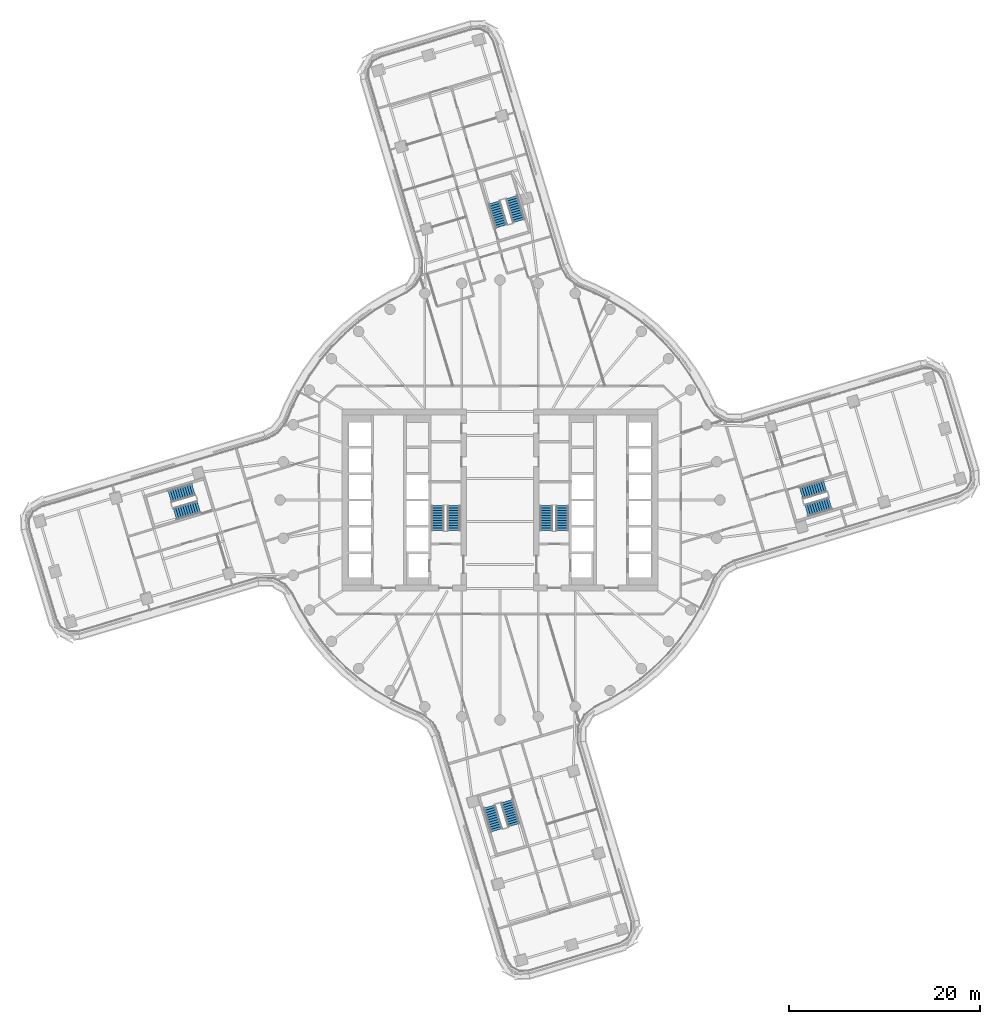
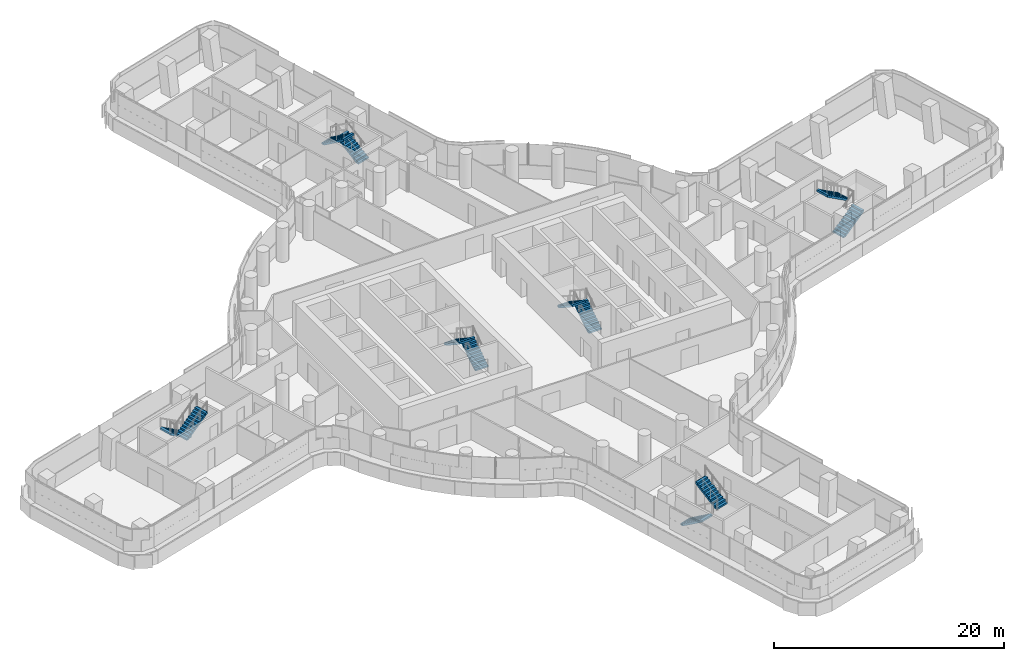
# One storey, part 23 of 32: 12 stair flights, 6 elements without a shape of their own.
"""IFC4 building model written with IfcOpenShell, lengths in metres."""

from ifc_helpers import new_model, si_unit, direction, frame, origin, place, context, subcontext, project, spatial, polyline, outline, extrude, material, type_object, element, aggregate, save


model = new_model("IFC4")

# Units and contexts
model_context = context("Model", 3, precision=1e-05, world=origin(), true_north=direction((0.0, 1.0)))
body_context = subcontext(model_context, "Body", "Model", "MODEL_VIEW")
ifc_project = project(units=[si_unit("LENGTHUNIT", "METRE"), si_unit("AREAUNIT", "SQUARE_METRE"), si_unit("VOLUMEUNIT", "CUBIC_METRE"), si_unit("PLANEANGLEUNIT", "RADIAN"), si_unit("MASSUNIT", "GRAM", prefix="KILO")], contexts=[model_context])

# Site, building, storey
site_placement = place(None, origin())
site = spatial("IfcSite", under=ifc_project, at=site_placement, CompositionType="ELEMENT")
building_placement = place(site_placement, origin())
building = spatial("IfcBuilding", under=site, at=building_placement, Name="Tamarind Cross Interchange Tower", CompositionType="ELEMENT")
storey_placement = place(building_placement, frame((0.0, 0.0, 94.75)))
storey = spatial("IfcBuildingStorey", under=building, at=storey_placement, Name="L22", CompositionType="ELEMENT", Elevation=94.75)

# Stair, stair flights
ifc_material_1 = material(Name="Exit stair")
stair_type = type_object("IfcStairType", Name="Exit stair", PredefinedType="HALF_TURN_STAIR", material=ifc_material_1)
stair_1_placement = place(storey_placement, origin())
stair_1 = element("IfcStair", 1, at=stair_1_placement, inside=storey, type_object=stair_type, Name="L22 exit stair ST1", PredefinedType="HALF_TURN_STAIR")
ifc_material_2 = material(Name="Exit stair flight")
stair_flight_type = type_object("IfcStairFlightType", Name="Exit stair flight", PredefinedType="STRAIGHT", material=ifc_material_2)
stair_flight_1_placement = place(storey_placement, frame((-4.85009765625, -3.199951171875, 0.0), z_axis=(0.0, 0.0, 1.0), x_axis=(0.0, 1.0, 0.0)))
stair_flight_1 = element("IfcStairFlight", 2, at=stair_flight_1_placement, type_object=stair_flight_type, Name="ST1 flight 1", NumberOfRisers=11, NumberOfTreads=10, PredefinedType="STRAIGHT", RiserHeight=0.170454545, TreadLength=0.26, context=body_context, shape_type="SweptSolid", body=[
    extrude(outline(polyline([(0.0, 0.0), (0.0, 0.17041015625), (0.260009765625, 0.17041015625), (0.260009765625, 0.3408203125), (0.52001953125, 0.3408203125), (0.52001953125, 0.511474609375), (0.780029296875, 0.511474609375), (0.780029296875, 0.681884765625), (1.0400390625, 0.681884765625), (1.0400390625, 0.852294921875), (1.300048828125, 0.852294921875), (1.300048828125, 1.022705078125), (1.56005859375, 1.022705078125), (1.56005859375, 1.193115234375), (1.820068359375, 1.193115234375), (1.820068359375, 1.363525390625), (2.080078125, 1.363525390625), (2.080078125, 1.5341796875), (2.340087890625, 1.5341796875), (2.340087890625, 1.70458984375), (2.60009765625, 1.70458984375), (2.60009765625, 1.875), (2.60009765625, 1.525390625), (0.2734375, 0.0), (0.0, 0.0)])), frame((0.0, 0.64990234375, 0.0), z_axis=(0.0, -1.0, 0.0), x_axis=(1.0, 0.0, 0.0)), (0.0, 0.0, 1.0), 1.300048828125),
])
stair_flight_2_placement = place(storey_placement, frame((-6.5, -0.60009765625, 1.875), z_axis=(0.0, 0.0, 1.0), x_axis=(0.0, -1.0, 0.0)))
stair_flight_2 = element("IfcStairFlight", 3, at=stair_flight_2_placement, type_object=stair_flight_type, Name="ST1 flight 2", NumberOfRisers=11, NumberOfTreads=10, PredefinedType="STRAIGHT", RiserHeight=0.170454545, TreadLength=0.26, context=body_context, shape_type="SweptSolid", body=[
    extrude(outline(polyline([(0.0, 0.0), (0.0, 0.17041015625), (0.260009765625, 0.17041015625), (0.260009765625, 0.3408203125), (0.52001953125, 0.3408203125), (0.52001953125, 0.511474609375), (0.780029296875, 0.511474609375), (0.780029296875, 0.681884765625), (1.0400390625, 0.681884765625), (1.0400390625, 0.852294921875), (1.300048828125, 0.852294921875), (1.300048828125, 1.022705078125), (1.56005859375, 1.022705078125), (1.56005859375, 1.193115234375), (1.820068359375, 1.193115234375), (1.820068359375, 1.363525390625), (2.080078125, 1.363525390625), (2.080078125, 1.5341796875), (2.340087890625, 1.5341796875), (2.340087890625, 1.70458984375), (2.60009765625, 1.70458984375), (2.60009765625, 1.7548828125), (2.612060546875, 1.7548828125), (2.612060546875, 1.533203125), (0.2734375, 0.0), (0.0, 0.0)])), frame((0.0, 0.64990234375, 0.0), z_axis=(0.0, -1.0, 0.0), x_axis=(1.0, 0.0, 0.0)), (0.0, 0.0, 1.0), 1.300048828125),
])
aggregate(stair_1, [stair_flight_1, stair_flight_2])

stair_2_placement = place(storey_placement, origin())
stair_2 = element("IfcStair", 4, at=stair_2_placement, inside=storey, type_object=stair_type, Name="L22 exit stair ST2", PredefinedType="HALF_TURN_STAIR")
stair_flight_3_placement = place(storey_placement, frame((6.5, -3.199951171875, 0.0), z_axis=(0.0, 0.0, 1.0), x_axis=(0.0, 1.0, 0.0)))
stair_flight_3 = element("IfcStairFlight", 5, at=stair_flight_3_placement, type_object=stair_flight_type, Name="ST2 flight 1", NumberOfRisers=11, NumberOfTreads=10, PredefinedType="STRAIGHT", RiserHeight=0.170454545, TreadLength=0.26, context=body_context, shape_type="SweptSolid", body=[
    extrude(outline(polyline([(0.0, 0.0), (0.0, 0.17041015625), (0.260009765625, 0.17041015625), (0.260009765625, 0.3408203125), (0.52001953125, 0.3408203125), (0.52001953125, 0.511474609375), (0.780029296875, 0.511474609375), (0.780029296875, 0.681884765625), (1.0400390625, 0.681884765625), (1.0400390625, 0.852294921875), (1.300048828125, 0.852294921875), (1.300048828125, 1.022705078125), (1.56005859375, 1.022705078125), (1.56005859375, 1.193115234375), (1.820068359375, 1.193115234375), (1.820068359375, 1.363525390625), (2.080078125, 1.363525390625), (2.080078125, 1.5341796875), (2.340087890625, 1.5341796875), (2.340087890625, 1.70458984375), (2.60009765625, 1.70458984375), (2.60009765625, 1.875), (2.60009765625, 1.525390625), (0.2734375, 0.0), (0.0, 0.0)])), frame((0.0, 0.64990234375, 0.0), z_axis=(0.0, -1.0, 0.0), x_axis=(1.0, 0.0, 0.0)), (0.0, 0.0, 1.0), 1.300048828125),
])
stair_flight_4_placement = place(storey_placement, frame((4.85009765625, -0.60009765625, 1.875), z_axis=(0.0, 0.0, 1.0), x_axis=(0.0, -1.0, 0.0)))
stair_flight_4 = element("IfcStairFlight", 6, at=stair_flight_4_placement, type_object=stair_flight_type, Name="ST2 flight 2", NumberOfRisers=11, NumberOfTreads=10, PredefinedType="STRAIGHT", RiserHeight=0.170454545, TreadLength=0.26, context=body_context, shape_type="SweptSolid", body=[
    extrude(outline(polyline([(0.0, 0.0), (0.0, 0.17041015625), (0.260009765625, 0.17041015625), (0.260009765625, 0.3408203125), (0.52001953125, 0.3408203125), (0.52001953125, 0.511474609375), (0.780029296875, 0.511474609375), (0.780029296875, 0.681884765625), (1.0400390625, 0.681884765625), (1.0400390625, 0.852294921875), (1.300048828125, 0.852294921875), (1.300048828125, 1.022705078125), (1.56005859375, 1.022705078125), (1.56005859375, 1.193115234375), (1.820068359375, 1.193115234375), (1.820068359375, 1.363525390625), (2.080078125, 1.363525390625), (2.080078125, 1.5341796875), (2.340087890625, 1.5341796875), (2.340087890625, 1.70458984375), (2.60009765625, 1.70458984375), (2.60009765625, 1.7548828125), (2.612060546875, 1.7548828125), (2.612060546875, 1.533203125), (0.2734375, 0.0), (0.0, 0.0)])), frame((0.0, 0.64990234375, 0.0), z_axis=(0.0, -1.0, 0.0), x_axis=(1.0, 0.0, 0.0)), (0.0, 0.0, 1.0), 1.300048828125),
])
aggregate(stair_2, [stair_flight_3, stair_flight_4])

stair_3_placement = place(storey_placement, origin())
stair_3 = element("IfcStair", 7, at=stair_3_placement, inside=storey, type_object=stair_type, Name="L22 exit stair ST3", PredefinedType="HALF_TURN_STAIR")
stair_flight_5_placement = place(storey_placement, frame((32.043212890625, -1.10791015625, 0.0), z_axis=(0.0, 0.0, 1.0), x_axis=(0.957738195167, 0.287641355717, 0.0)))
stair_flight_5 = element("IfcStairFlight", 8, at=stair_flight_5_placement, type_object=stair_flight_type, Name="ST3 flight 1", NumberOfRisers=11, NumberOfTreads=10, PredefinedType="STRAIGHT", RiserHeight=0.170454545, TreadLength=0.26, context=body_context, shape_type="SweptSolid", body=[
    extrude(outline(polyline([(0.0, 0.0), (0.0, 0.17041015625), (0.260009765625, 0.17041015625), (0.260009765625, 0.3408203125), (0.52001953125, 0.3408203125), (0.52001953125, 0.511474609375), (0.780029296875, 0.511474609375), (0.780029296875, 0.681884765625), (1.0400390625, 0.681884765625), (1.0400390625, 0.852294921875), (1.300048828125, 0.852294921875), (1.300048828125, 1.022705078125), (1.56005859375, 1.022705078125), (1.56005859375, 1.193115234375), (1.820068359375, 1.193115234375), (1.820068359375, 1.363525390625), (2.080078125, 1.363525390625), (2.080078125, 1.5341796875), (2.340087890625, 1.5341796875), (2.340087890625, 1.70458984375), (2.60009765625, 1.70458984375), (2.60009765625, 1.875), (2.60009765625, 1.525390625), (0.2734375, 0.0), (0.0, 0.0)])), frame((0.0, 0.64990234375, 0.0), z_axis=(0.0, -1.0, 0.0), x_axis=(1.0, 0.0, 0.0)), (0.0, 0.0, 1.0), 1.300048828125),
])
stair_flight_6_placement = place(storey_placement, frame((33.98681640625, 1.45947265625, 1.875), z_axis=(0.0, 0.0, 1.0), x_axis=(-0.957738195167, -0.287641355717, 0.0)))
stair_flight_6 = element("IfcStairFlight", 9, at=stair_flight_6_placement, type_object=stair_flight_type, Name="ST3 flight 2", NumberOfRisers=11, NumberOfTreads=10, PredefinedType="STRAIGHT", RiserHeight=0.170454545, TreadLength=0.26, context=body_context, shape_type="SweptSolid", body=[
    extrude(outline(polyline([(0.0, 0.0), (0.0, 0.17041015625), (0.260009765625, 0.17041015625), (0.260009765625, 0.3408203125), (0.52001953125, 0.3408203125), (0.52001953125, 0.511474609375), (0.780029296875, 0.511474609375), (0.780029296875, 0.681884765625), (1.0400390625, 0.681884765625), (1.0400390625, 0.852294921875), (1.300048828125, 0.852294921875), (1.300048828125, 1.022705078125), (1.56005859375, 1.022705078125), (1.56005859375, 1.193115234375), (1.820068359375, 1.193115234375), (1.820068359375, 1.363525390625), (2.080078125, 1.363525390625), (2.080078125, 1.5341796875), (2.340087890625, 1.5341796875), (2.340087890625, 1.70458984375), (2.60009765625, 1.70458984375), (2.60009765625, 1.7548828125), (2.612060546875, 1.7548828125), (2.612060546875, 1.533203125), (0.2734375, 0.0), (0.0, 0.0)])), frame((0.0, 0.64990234375, 0.0), z_axis=(0.0, -1.0, 0.0), x_axis=(1.0, 0.0, 0.0)), (0.0, 0.0, 1.0), 1.300048828125),
])
aggregate(stair_3, [stair_flight_5, stair_flight_6])

stair_4_placement = place(storey_placement, origin())
stair_4 = element("IfcStair", 10, at=stair_4_placement, inside=storey, type_object=stair_type, Name="L22 exit stair ST4", PredefinedType="HALF_TURN_STAIR")
stair_flight_7_placement = place(storey_placement, frame((1.970947265625, 29.169921875, 0.0), z_axis=(0.0, 0.0, 1.0), x_axis=(-0.287641355717, 0.957738195167, 0.0)))
stair_flight_7 = element("IfcStairFlight", 11, at=stair_flight_7_placement, type_object=stair_flight_type, Name="ST4 flight 1", NumberOfRisers=11, NumberOfTreads=10, PredefinedType="STRAIGHT", RiserHeight=0.170454545, TreadLength=0.26, context=body_context, shape_type="SweptSolid", body=[
    extrude(outline(polyline([(0.0, 0.0), (0.0, 0.17041015625), (0.260009765625, 0.17041015625), (0.260009765625, 0.3408203125), (0.52001953125, 0.3408203125), (0.52001953125, 0.511474609375), (0.780029296875, 0.511474609375), (0.780029296875, 0.681884765625), (1.0400390625, 0.681884765625), (1.0400390625, 0.852294921875), (1.300048828125, 0.852294921875), (1.300048828125, 1.022705078125), (1.56005859375, 1.022705078125), (1.56005859375, 1.193115234375), (1.820068359375, 1.193115234375), (1.820068359375, 1.363525390625), (2.080078125, 1.363525390625), (2.080078125, 1.5341796875), (2.340087890625, 1.5341796875), (2.340087890625, 1.70458984375), (2.60009765625, 1.70458984375), (2.60009765625, 1.875), (2.60009765625, 1.525390625), (0.2734375, 0.0), (0.0, 0.0)])), frame((0.0, 0.64990234375, 0.0), z_axis=(0.0, -1.0, 0.0), x_axis=(1.0, 0.0, 0.0)), (0.0, 0.0, 1.0), 1.300048828125),
])
stair_flight_8_placement = place(storey_placement, frame((-0.5966796875, 31.113525390625, 1.875), z_axis=(0.0, 0.0, 1.0), x_axis=(0.287641355717, -0.957738195167, 0.0)))
stair_flight_8 = element("IfcStairFlight", 12, at=stair_flight_8_placement, type_object=stair_flight_type, Name="ST4 flight 2", NumberOfRisers=11, NumberOfTreads=10, PredefinedType="STRAIGHT", RiserHeight=0.170454545, TreadLength=0.26, context=body_context, shape_type="SweptSolid", body=[
    extrude(outline(polyline([(0.0, 0.0), (0.0, 0.17041015625), (0.260009765625, 0.17041015625), (0.260009765625, 0.3408203125), (0.52001953125, 0.3408203125), (0.52001953125, 0.511474609375), (0.780029296875, 0.511474609375), (0.780029296875, 0.681884765625), (1.0400390625, 0.681884765625), (1.0400390625, 0.852294921875), (1.300048828125, 0.852294921875), (1.300048828125, 1.022705078125), (1.56005859375, 1.022705078125), (1.56005859375, 1.193115234375), (1.820068359375, 1.193115234375), (1.820068359375, 1.363525390625), (2.080078125, 1.363525390625), (2.080078125, 1.5341796875), (2.340087890625, 1.5341796875), (2.340087890625, 1.70458984375), (2.60009765625, 1.70458984375), (2.60009765625, 1.7548828125), (2.612060546875, 1.7548828125), (2.612060546875, 1.533203125), (0.2734375, 0.0), (0.0, 0.0)])), frame((0.0, 0.64990234375, 0.0), z_axis=(0.0, -1.0, 0.0), x_axis=(1.0, 0.0, 0.0)), (0.0, 0.0, 1.0), 1.300048828125),
])
aggregate(stair_4, [stair_flight_7, stair_flight_8])

stair_5_placement = place(storey_placement, origin())
stair_5 = element("IfcStair", 13, at=stair_5_placement, inside=storey, type_object=stair_type, Name="L22 exit stair ST5", PredefinedType="HALF_TURN_STAIR")
stair_flight_9_placement = place(storey_placement, frame((-32.043212890625, 1.10791015625, 0.0), z_axis=(0.0, 0.0, 1.0), x_axis=(-0.957738195167, -0.287641355717, 0.0)))
stair_flight_9 = element("IfcStairFlight", 14, at=stair_flight_9_placement, type_object=stair_flight_type, Name="ST5 flight 1", NumberOfRisers=11, NumberOfTreads=10, PredefinedType="STRAIGHT", RiserHeight=0.170454545, TreadLength=0.26, context=body_context, shape_type="SweptSolid", body=[
    extrude(outline(polyline([(0.0, 0.0), (0.0, 0.17041015625), (0.260009765625, 0.17041015625), (0.260009765625, 0.3408203125), (0.52001953125, 0.3408203125), (0.52001953125, 0.511474609375), (0.780029296875, 0.511474609375), (0.780029296875, 0.681884765625), (1.0400390625, 0.681884765625), (1.0400390625, 0.852294921875), (1.300048828125, 0.852294921875), (1.300048828125, 1.022705078125), (1.56005859375, 1.022705078125), (1.56005859375, 1.193115234375), (1.820068359375, 1.193115234375), (1.820068359375, 1.363525390625), (2.080078125, 1.363525390625), (2.080078125, 1.5341796875), (2.340087890625, 1.5341796875), (2.340087890625, 1.70458984375), (2.60009765625, 1.70458984375), (2.60009765625, 1.875), (2.60009765625, 1.525390625), (0.2734375, 0.0), (0.0, 0.0)])), frame((0.0, 0.64990234375, 0.0), z_axis=(0.0, -1.0, 0.0), x_axis=(1.0, 0.0, 0.0)), (0.0, 0.0, 1.0), 1.300048828125),
])
stair_flight_10_placement = place(storey_placement, frame((-33.98681640625, -1.45947265625, 1.875), z_axis=(0.0, 0.0, 1.0), x_axis=(0.957738195167, 0.287641355717, 0.0)))
stair_flight_10 = element("IfcStairFlight", 15, at=stair_flight_10_placement, type_object=stair_flight_type, Name="ST5 flight 2", NumberOfRisers=11, NumberOfTreads=10, PredefinedType="STRAIGHT", RiserHeight=0.170454545, TreadLength=0.26, context=body_context, shape_type="SweptSolid", body=[
    extrude(outline(polyline([(0.0, 0.0), (0.0, 0.17041015625), (0.260009765625, 0.17041015625), (0.260009765625, 0.3408203125), (0.52001953125, 0.3408203125), (0.52001953125, 0.511474609375), (0.780029296875, 0.511474609375), (0.780029296875, 0.681884765625), (1.0400390625, 0.681884765625), (1.0400390625, 0.852294921875), (1.300048828125, 0.852294921875), (1.300048828125, 1.022705078125), (1.56005859375, 1.022705078125), (1.56005859375, 1.193115234375), (1.820068359375, 1.193115234375), (1.820068359375, 1.363525390625), (2.080078125, 1.363525390625), (2.080078125, 1.5341796875), (2.340087890625, 1.5341796875), (2.340087890625, 1.70458984375), (2.60009765625, 1.70458984375), (2.60009765625, 1.7548828125), (2.612060546875, 1.7548828125), (2.612060546875, 1.533203125), (0.2734375, 0.0), (0.0, 0.0)])), frame((0.0, 0.64990234375, 0.0), z_axis=(0.0, -1.0, 0.0), x_axis=(1.0, 0.0, 0.0)), (0.0, 0.0, 1.0), 1.300048828125),
])
aggregate(stair_5, [stair_flight_9, stair_flight_10])

stair_6_placement = place(storey_placement, origin())
stair_6 = element("IfcStair", 16, at=stair_6_placement, inside=storey, type_object=stair_type, Name="L22 exit stair ST6", PredefinedType="HALF_TURN_STAIR")
stair_flight_11_placement = place(storey_placement, frame((-1.10791015625, -32.043212890625, 0.0), z_axis=(0.0, 0.0, 1.0), x_axis=(0.287641355717, -0.957738195167, 0.0)))
stair_flight_11 = element("IfcStairFlight", 17, at=stair_flight_11_placement, type_object=stair_flight_type, Name="ST6 flight 1", NumberOfRisers=11, NumberOfTreads=10, PredefinedType="STRAIGHT", RiserHeight=0.170454545, TreadLength=0.26, context=body_context, shape_type="SweptSolid", body=[
    extrude(outline(polyline([(0.0, 0.0), (0.0, 0.17041015625), (0.260009765625, 0.17041015625), (0.260009765625, 0.3408203125), (0.52001953125, 0.3408203125), (0.52001953125, 0.511474609375), (0.780029296875, 0.511474609375), (0.780029296875, 0.681884765625), (1.0400390625, 0.681884765625), (1.0400390625, 0.852294921875), (1.300048828125, 0.852294921875), (1.300048828125, 1.022705078125), (1.56005859375, 1.022705078125), (1.56005859375, 1.193115234375), (1.820068359375, 1.193115234375), (1.820068359375, 1.363525390625), (2.080078125, 1.363525390625), (2.080078125, 1.5341796875), (2.340087890625, 1.5341796875), (2.340087890625, 1.70458984375), (2.60009765625, 1.70458984375), (2.60009765625, 1.875), (2.60009765625, 1.525390625), (0.2734375, 0.0), (0.0, 0.0)])), frame((0.0, 0.64990234375, 0.0), z_axis=(0.0, -1.0, 0.0), x_axis=(1.0, 0.0, 0.0)), (0.0, 0.0, 1.0), 1.300048828125),
])
stair_flight_12_placement = place(storey_placement, frame((1.45947265625, -33.98681640625, 1.875), z_axis=(0.0, 0.0, 1.0), x_axis=(-0.287641355717, 0.957738195167, 0.0)))
stair_flight_12 = element("IfcStairFlight", 18, at=stair_flight_12_placement, type_object=stair_flight_type, Name="ST6 flight 2", NumberOfRisers=11, NumberOfTreads=10, PredefinedType="STRAIGHT", RiserHeight=0.170454545, TreadLength=0.26, context=body_context, shape_type="SweptSolid", body=[
    extrude(outline(polyline([(0.0, 0.0), (0.0, 0.17041015625), (0.260009765625, 0.17041015625), (0.260009765625, 0.3408203125), (0.52001953125, 0.3408203125), (0.52001953125, 0.511474609375), (0.780029296875, 0.511474609375), (0.780029296875, 0.681884765625), (1.0400390625, 0.681884765625), (1.0400390625, 0.852294921875), (1.300048828125, 0.852294921875), (1.300048828125, 1.022705078125), (1.56005859375, 1.022705078125), (1.56005859375, 1.193115234375), (1.820068359375, 1.193115234375), (1.820068359375, 1.363525390625), (2.080078125, 1.363525390625), (2.080078125, 1.5341796875), (2.340087890625, 1.5341796875), (2.340087890625, 1.70458984375), (2.60009765625, 1.70458984375), (2.60009765625, 1.7548828125), (2.612060546875, 1.7548828125), (2.612060546875, 1.533203125), (0.2734375, 0.0), (0.0, 0.0)])), frame((0.0, 0.64990234375, 0.0), z_axis=(0.0, -1.0, 0.0), x_axis=(1.0, 0.0, 0.0)), (0.0, 0.0, 1.0), 1.300048828125),
])
aggregate(stair_6, [stair_flight_11, stair_flight_12])

save(model, "model.ifc")
